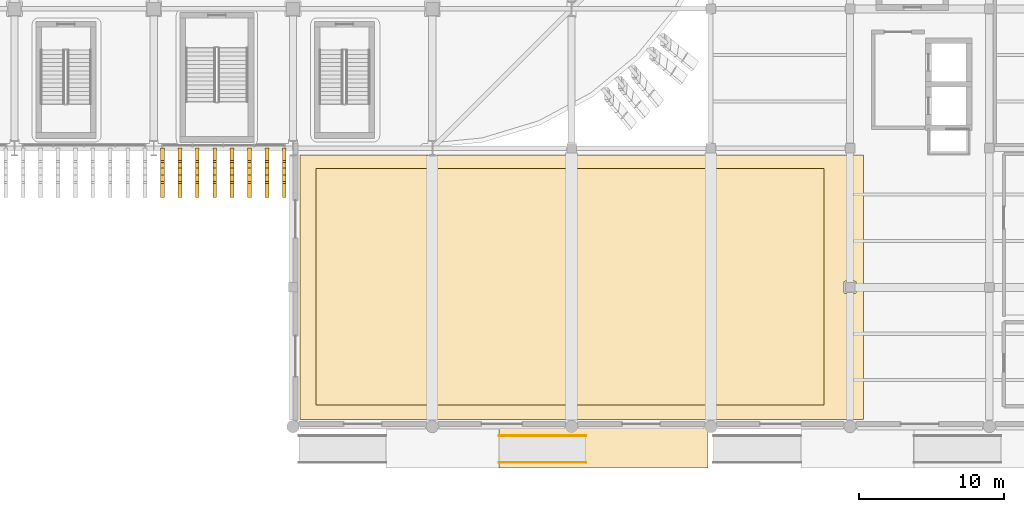
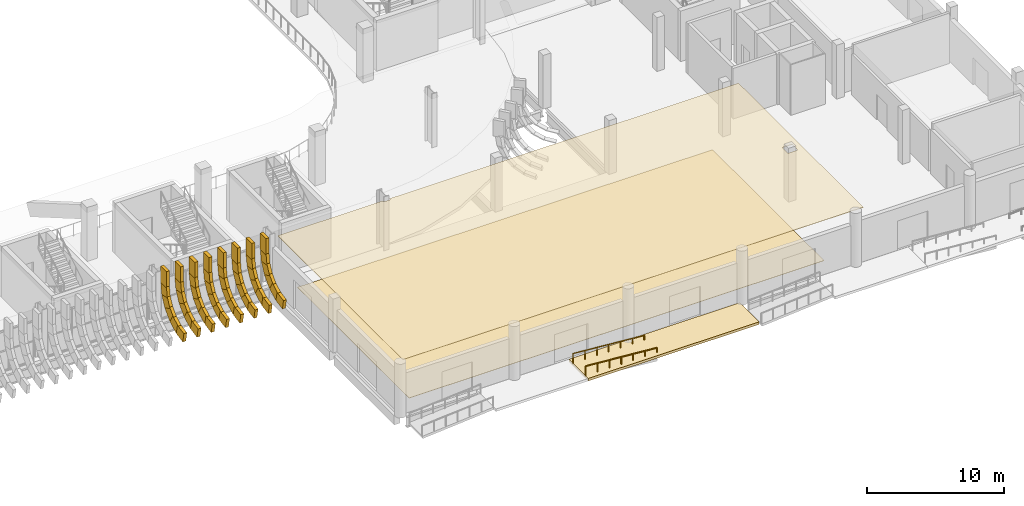
# One storey, part 89 of 100: 51 coverings, 2 railings.
"""IFC4 building model written with IfcOpenShell, lengths in metres."""

from ifc_helpers import new_model, si_unit, direction, frame, origin, origin_2d, place, context, subcontext, project, spatial, polyline, rectangle, circle, outline, extrude, material, layer, layer_set, material_profile, profile_set, type_object, element, save


model = new_model("IFC4")

# Units and contexts
model_context = context("Model", 3, precision=1e-05, world=origin(), true_north=direction((0.0, 1.0)))
body_context = subcontext(model_context, "Body", "Model", "MODEL_VIEW")
ifc_project = project(units=[si_unit("LENGTHUNIT", "METRE"), si_unit("AREAUNIT", "SQUARE_METRE"), si_unit("VOLUMEUNIT", "CUBIC_METRE"), si_unit("PLANEANGLEUNIT", "RADIAN"), si_unit("MASSUNIT", "GRAM", prefix="KILO")], contexts=[model_context])

# Site, building, storey
site_placement = place(None, origin())
site = spatial("IfcSite", under=ifc_project, at=site_placement, CompositionType="ELEMENT")
building_placement = place(site_placement, origin())
building = spatial("IfcBuilding", under=site, at=building_placement, Name="Caelomonte Colonnade Arena", CompositionType="ELEMENT")
storey_placement = place(building_placement, origin())
storey = spatial("IfcBuildingStorey", under=building, at=storey_placement, Name="L00", CompositionType="ELEMENT", Elevation=0.0)

# Coverings
ifc_material_1 = material(Name="Travertine colonnade arrival paving", Category="masonry")
ifc_layer_1 = layer(ifc_material_1, 0.0400390625)
ifc_layer_set_1 = layer_set([ifc_layer_1], Name="Travertine colonnade arrival paving")
covering_type_1 = type_object("IfcCoveringType", Name="ENV-CV-PAV25", PredefinedType="FLOORING", material=ifc_layer_set_1)
covering_1_placement = place(storey_placement, frame((0.0, 0.0, -0.219970703125)))
element("IfcCovering", 1, at=covering_1_placement, inside=storey, type_object=covering_type_1, Name="Portico forecourt accessible landing 2", PredefinedType="FLOORING", context=body_context, shape_type="SweptSolid", body=[
    extrude(outline(polyline([(148.60009765625, -2.85009765625), (163.0, -2.85009765625), (163.0, -0.02001953125), (148.60009765625, -0.02001953125), (148.60009765625, -2.85009765625)])), origin(), (0.0, 0.0, 1.0), 0.219970703125),
])
ifc_material_2 = material(Name="Precast travertine cladding", Category="masonry")
ifc_material_profile = material_profile(ifc_material_2, rectangle(XDim=0.260009765625, YDim=0.85009765625, at=origin_2d()), Name="FIN260X850")
ifc_profile_set = profile_set([ifc_material_profile], Name="Precast travertine cladding")
covering_type_2 = type_object("IfcCoveringType", Name="ENV-FN-SKIRT", PredefinedType="CLADDING", material=ifc_profile_set)
covering_2_placement = place(storey_placement, frame((125.39990234375, 18.779052734375, 3.360107421875), z_axis=(0.0, 0.0, 1.0), x_axis=(-1.0, 0.0, 0.0)))
element("IfcCovering", 2, at=covering_2_placement, inside=storey, type_object=covering_type_2, Name="V1 L00 upper classical fin stem 278", PredefinedType="CLADDING", context=body_context, shape_type="SweptSolid", body=[
    extrude(rectangle(XDim=0.260009765625, YDim=0.85009765625, at=origin_2d()), origin(), (0.0, 0.0, 1.0), 1.4599609375),
])
for number, where, z_axis, x_axis, name in (
    (3, (125.39990234375, 18.785888671875, 3.474609375), (0.0, -0.153076342973, -0.988214366027), (-1.0, 0.0, 0.0), "V1 L00 splayed classical fin skirt chord 1 (278)"),
    (4, (125.39990234375, 18.65869140625, 2.563232421875), (0.0, -0.444692864571, -0.89568312265), (-1.0, 0.0, 0.0), "V1 L00 splayed classical fin skirt chord 2 (278)"),
    (5, (125.39990234375, 18.26171875, 1.733154296875), (0.0, -0.694646381209, -0.71935137803), (-1.0, 0.0, 0.0), "V1 L00 splayed classical fin skirt chord 3 (278)"),
):
    element("IfcCovering", number, at=place(storey_placement, frame(where, z_axis=z_axis, x_axis=x_axis)), inside=storey, type_object=covering_type_2, Name=name, PredefinedType="CLADDING", context=body_context, shape_type="SweptSolid", body=[
        extrude(rectangle(XDim=0.260009765625, YDim=0.85009765625, at=origin_2d()), origin(), (0.0, 0.0, 1.0), 1.008056640625),
    ])
covering_3_placement = place(storey_placement, frame((125.39990234375, 17.63232421875, 1.061767578125), z_axis=(0.0, -0.879676382338, -0.475572772935), x_axis=(-1.0, 0.0, 0.0)))
element("IfcCovering", 6, at=covering_3_placement, inside=storey, type_object=covering_type_2, Name="V1 L00 splayed classical fin skirt chord 4 (278)", PredefinedType="CLADDING", context=body_context, shape_type="SweptSolid", body=[
    extrude(rectangle(XDim=0.260009765625, YDim=0.85009765625, at=origin_2d()), origin(), (0.0, 0.0, 1.0), 1.0078125),
])
covering_4_placement = place(storey_placement, frame((125.39990234375, 16.82958984375, 0.6123046875), z_axis=(0.0, -0.982287485173, -0.187380085582), x_axis=(-1.0, 0.0, 0.0)))
element("IfcCovering", 7, at=covering_4_placement, inside=storey, type_object=covering_type_2, Name="V1 L00 splayed classical fin skirt chord 5 (278)", PredefinedType="CLADDING", context=body_context, shape_type="SweptSolid", body=[
    extrude(rectangle(XDim=0.260009765625, YDim=0.85009765625, at=origin_2d()), origin(), (0.0, 0.0, 1.0), 0.962890625),
])
covering_5_placement = place(storey_placement, frame((126.60009765625, 18.779052734375, 3.360107421875), z_axis=(0.0, 0.0, 1.0), x_axis=(-1.0, 0.0, 0.0)))
element("IfcCovering", 8, at=covering_5_placement, inside=storey, type_object=covering_type_2, Name="V1 L00 upper classical fin stem 279", PredefinedType="CLADDING", context=body_context, shape_type="SweptSolid", body=[
    extrude(rectangle(XDim=0.260009765625, YDim=0.85009765625, at=origin_2d()), origin(), (0.0, 0.0, 1.0), 1.4599609375),
])
for number, where, z_axis, x_axis, name in (
    (9, (126.60009765625, 18.785888671875, 3.474609375), (0.0, -0.153076342973, -0.988214366027), (-1.0, 0.0, 0.0), "V1 L00 splayed classical fin skirt chord 1 (279)"),
    (10, (126.60009765625, 18.65869140625, 2.563232421875), (0.0, -0.444692864571, -0.89568312265), (-1.0, 0.0, 0.0), "V1 L00 splayed classical fin skirt chord 2 (279)"),
    (11, (126.60009765625, 18.26171875, 1.733154296875), (0.0, -0.694646381209, -0.71935137803), (-1.0, 0.0, 0.0), "V1 L00 splayed classical fin skirt chord 3 (279)"),
):
    element("IfcCovering", number, at=place(storey_placement, frame(where, z_axis=z_axis, x_axis=x_axis)), inside=storey, type_object=covering_type_2, Name=name, PredefinedType="CLADDING", context=body_context, shape_type="SweptSolid", body=[
        extrude(rectangle(XDim=0.260009765625, YDim=0.85009765625, at=origin_2d()), origin(), (0.0, 0.0, 1.0), 1.008056640625),
    ])
covering_6_placement = place(storey_placement, frame((126.60009765625, 17.63232421875, 1.061767578125), z_axis=(0.0, -0.879676382338, -0.475572772935), x_axis=(-1.0, 0.0, 0.0)))
element("IfcCovering", 12, at=covering_6_placement, inside=storey, type_object=covering_type_2, Name="V1 L00 splayed classical fin skirt chord 4 (279)", PredefinedType="CLADDING", context=body_context, shape_type="SweptSolid", body=[
    extrude(rectangle(XDim=0.260009765625, YDim=0.85009765625, at=origin_2d()), origin(), (0.0, 0.0, 1.0), 1.0078125),
])
covering_7_placement = place(storey_placement, frame((126.60009765625, 16.82958984375, 0.6123046875), z_axis=(0.0, -0.982287485173, -0.187380085582), x_axis=(-1.0, 0.0, 0.0)))
element("IfcCovering", 13, at=covering_7_placement, inside=storey, type_object=covering_type_2, Name="V1 L00 splayed classical fin skirt chord 5 (279)", PredefinedType="CLADDING", context=body_context, shape_type="SweptSolid", body=[
    extrude(rectangle(XDim=0.260009765625, YDim=0.85009765625, at=origin_2d()), origin(), (0.0, 0.0, 1.0), 0.962890625),
])
covering_8_placement = place(storey_placement, frame((127.800048828125, 18.779052734375, 3.360107421875), z_axis=(0.0, 0.0, 1.0), x_axis=(-1.0, 0.0, 0.0)))
element("IfcCovering", 14, at=covering_8_placement, inside=storey, type_object=covering_type_2, Name="V1 L00 upper classical fin stem 280", PredefinedType="CLADDING", context=body_context, shape_type="SweptSolid", body=[
    extrude(rectangle(XDim=0.260009765625, YDim=0.85009765625, at=origin_2d()), origin(), (0.0, 0.0, 1.0), 1.4599609375),
])
for number, where, z_axis, x_axis, name in (
    (15, (127.800048828125, 18.785888671875, 3.474609375), (0.0, -0.153076342973, -0.988214366027), (-1.0, 0.0, 0.0), "V1 L00 splayed classical fin skirt chord 1 (280)"),
    (16, (127.800048828125, 18.65869140625, 2.563232421875), (0.0, -0.444692864571, -0.89568312265), (-1.0, 0.0, 0.0), "V1 L00 splayed classical fin skirt chord 2 (280)"),
    (17, (127.800048828125, 18.26171875, 1.733154296875), (0.0, -0.694646381209, -0.71935137803), (-1.0, 0.0, 0.0), "V1 L00 splayed classical fin skirt chord 3 (280)"),
):
    element("IfcCovering", number, at=place(storey_placement, frame(where, z_axis=z_axis, x_axis=x_axis)), inside=storey, type_object=covering_type_2, Name=name, PredefinedType="CLADDING", context=body_context, shape_type="SweptSolid", body=[
        extrude(rectangle(XDim=0.260009765625, YDim=0.85009765625, at=origin_2d()), origin(), (0.0, 0.0, 1.0), 1.008056640625),
    ])
covering_9_placement = place(storey_placement, frame((127.800048828125, 17.63232421875, 1.061767578125), z_axis=(0.0, -0.879676382338, -0.475572772935), x_axis=(-1.0, 0.0, 0.0)))
element("IfcCovering", 18, at=covering_9_placement, inside=storey, type_object=covering_type_2, Name="V1 L00 splayed classical fin skirt chord 4 (280)", PredefinedType="CLADDING", context=body_context, shape_type="SweptSolid", body=[
    extrude(rectangle(XDim=0.260009765625, YDim=0.85009765625, at=origin_2d()), origin(), (0.0, 0.0, 1.0), 1.0078125),
])
covering_10_placement = place(storey_placement, frame((127.800048828125, 16.82958984375, 0.6123046875), z_axis=(0.0, -0.982287485173, -0.187380085582), x_axis=(-1.0, 0.0, 0.0)))
element("IfcCovering", 19, at=covering_10_placement, inside=storey, type_object=covering_type_2, Name="V1 L00 splayed classical fin skirt chord 5 (280)", PredefinedType="CLADDING", context=body_context, shape_type="SweptSolid", body=[
    extrude(rectangle(XDim=0.260009765625, YDim=0.85009765625, at=origin_2d()), origin(), (0.0, 0.0, 1.0), 0.962890625),
])
covering_11_placement = place(storey_placement, frame((129.0, 18.779052734375, 3.360107421875), z_axis=(0.0, 0.0, 1.0), x_axis=(-1.0, 0.0, 0.0)))
element("IfcCovering", 20, at=covering_11_placement, inside=storey, type_object=covering_type_2, Name="V1 L00 upper classical fin stem 281", PredefinedType="CLADDING", context=body_context, shape_type="SweptSolid", body=[
    extrude(rectangle(XDim=0.260009765625, YDim=0.85009765625, at=origin_2d()), origin(), (0.0, 0.0, 1.0), 1.4599609375),
])
for number, where, z_axis, x_axis, name in (
    (21, (129.0, 18.785888671875, 3.474609375), (0.0, -0.153076342973, -0.988214366027), (-1.0, 0.0, 0.0), "V1 L00 splayed classical fin skirt chord 1 (281)"),
    (22, (129.0, 18.65869140625, 2.563232421875), (0.0, -0.444692864571, -0.89568312265), (-1.0, 0.0, 0.0), "V1 L00 splayed classical fin skirt chord 2 (281)"),
    (23, (129.0, 18.26171875, 1.733154296875), (0.0, -0.694646381209, -0.71935137803), (-1.0, 0.0, 0.0), "V1 L00 splayed classical fin skirt chord 3 (281)"),
):
    element("IfcCovering", number, at=place(storey_placement, frame(where, z_axis=z_axis, x_axis=x_axis)), inside=storey, type_object=covering_type_2, Name=name, PredefinedType="CLADDING", context=body_context, shape_type="SweptSolid", body=[
        extrude(rectangle(XDim=0.260009765625, YDim=0.85009765625, at=origin_2d()), origin(), (0.0, 0.0, 1.0), 1.008056640625),
    ])
covering_12_placement = place(storey_placement, frame((129.0, 17.63232421875, 1.061767578125), z_axis=(0.0, -0.879676382338, -0.475572772935), x_axis=(-1.0, 0.0, 0.0)))
element("IfcCovering", 24, at=covering_12_placement, inside=storey, type_object=covering_type_2, Name="V1 L00 splayed classical fin skirt chord 4 (281)", PredefinedType="CLADDING", context=body_context, shape_type="SweptSolid", body=[
    extrude(rectangle(XDim=0.260009765625, YDim=0.85009765625, at=origin_2d()), origin(), (0.0, 0.0, 1.0), 1.0078125),
])
covering_13_placement = place(storey_placement, frame((129.0, 16.82958984375, 0.6123046875), z_axis=(0.0, -0.982287485173, -0.187380085582), x_axis=(-1.0, 0.0, 0.0)))
element("IfcCovering", 25, at=covering_13_placement, inside=storey, type_object=covering_type_2, Name="V1 L00 splayed classical fin skirt chord 5 (281)", PredefinedType="CLADDING", context=body_context, shape_type="SweptSolid", body=[
    extrude(rectangle(XDim=0.260009765625, YDim=0.85009765625, at=origin_2d()), origin(), (0.0, 0.0, 1.0), 0.962890625),
])
covering_14_placement = place(storey_placement, frame((130.199951171875, 18.779052734375, 3.360107421875), z_axis=(0.0, 0.0, 1.0), x_axis=(-1.0, 0.0, 0.0)))
element("IfcCovering", 26, at=covering_14_placement, inside=storey, type_object=covering_type_2, Name="V1 L00 upper classical fin stem 282", PredefinedType="CLADDING", context=body_context, shape_type="SweptSolid", body=[
    extrude(rectangle(XDim=0.260009765625, YDim=0.85009765625, at=origin_2d()), origin(), (0.0, 0.0, 1.0), 1.4599609375),
])
for number, where, z_axis, x_axis, name in (
    (27, (130.199951171875, 18.785888671875, 3.474609375), (0.0, -0.153076342973, -0.988214366027), (-1.0, 0.0, 0.0), "V1 L00 splayed classical fin skirt chord 1 (282)"),
    (28, (130.199951171875, 18.65869140625, 2.563232421875), (0.0, -0.444692864571, -0.89568312265), (-1.0, 0.0, 0.0), "V1 L00 splayed classical fin skirt chord 2 (282)"),
    (29, (130.199951171875, 18.26171875, 1.733154296875), (0.0, -0.694646381209, -0.71935137803), (-1.0, 0.0, 0.0), "V1 L00 splayed classical fin skirt chord 3 (282)"),
):
    element("IfcCovering", number, at=place(storey_placement, frame(where, z_axis=z_axis, x_axis=x_axis)), inside=storey, type_object=covering_type_2, Name=name, PredefinedType="CLADDING", context=body_context, shape_type="SweptSolid", body=[
        extrude(rectangle(XDim=0.260009765625, YDim=0.85009765625, at=origin_2d()), origin(), (0.0, 0.0, 1.0), 1.008056640625),
    ])
covering_15_placement = place(storey_placement, frame((130.199951171875, 17.63232421875, 1.061767578125), z_axis=(0.0, -0.879676382338, -0.475572772935), x_axis=(-1.0, 0.0, 0.0)))
element("IfcCovering", 30, at=covering_15_placement, inside=storey, type_object=covering_type_2, Name="V1 L00 splayed classical fin skirt chord 4 (282)", PredefinedType="CLADDING", context=body_context, shape_type="SweptSolid", body=[
    extrude(rectangle(XDim=0.260009765625, YDim=0.85009765625, at=origin_2d()), origin(), (0.0, 0.0, 1.0), 1.0078125),
])
covering_16_placement = place(storey_placement, frame((130.199951171875, 16.82958984375, 0.6123046875), z_axis=(0.0, -0.982287485173, -0.187380085582), x_axis=(-1.0, 0.0, 0.0)))
element("IfcCovering", 31, at=covering_16_placement, inside=storey, type_object=covering_type_2, Name="V1 L00 splayed classical fin skirt chord 5 (282)", PredefinedType="CLADDING", context=body_context, shape_type="SweptSolid", body=[
    extrude(rectangle(XDim=0.260009765625, YDim=0.85009765625, at=origin_2d()), origin(), (0.0, 0.0, 1.0), 0.962890625),
])
covering_17_placement = place(storey_placement, frame((131.39990234375, 18.779052734375, 3.360107421875), z_axis=(0.0, 0.0, 1.0), x_axis=(-1.0, 0.0, 0.0)))
element("IfcCovering", 32, at=covering_17_placement, inside=storey, type_object=covering_type_2, Name="V1 L00 upper classical fin stem 283", PredefinedType="CLADDING", context=body_context, shape_type="SweptSolid", body=[
    extrude(rectangle(XDim=0.260009765625, YDim=0.85009765625, at=origin_2d()), origin(), (0.0, 0.0, 1.0), 1.4599609375),
])
for number, where, z_axis, x_axis, name in (
    (33, (131.39990234375, 18.785888671875, 3.474609375), (0.0, -0.153076342973, -0.988214366027), (-1.0, 0.0, 0.0), "V1 L00 splayed classical fin skirt chord 1 (283)"),
    (34, (131.39990234375, 18.65869140625, 2.563232421875), (0.0, -0.444692864571, -0.89568312265), (-1.0, 0.0, 0.0), "V1 L00 splayed classical fin skirt chord 2 (283)"),
    (35, (131.39990234375, 18.26171875, 1.733154296875), (0.0, -0.694646381209, -0.71935137803), (-1.0, 0.0, 0.0), "V1 L00 splayed classical fin skirt chord 3 (283)"),
):
    element("IfcCovering", number, at=place(storey_placement, frame(where, z_axis=z_axis, x_axis=x_axis)), inside=storey, type_object=covering_type_2, Name=name, PredefinedType="CLADDING", context=body_context, shape_type="SweptSolid", body=[
        extrude(rectangle(XDim=0.260009765625, YDim=0.85009765625, at=origin_2d()), origin(), (0.0, 0.0, 1.0), 1.008056640625),
    ])
covering_18_placement = place(storey_placement, frame((131.39990234375, 17.63232421875, 1.061767578125), z_axis=(0.0, -0.879676382338, -0.475572772935), x_axis=(-1.0, 0.0, 0.0)))
element("IfcCovering", 36, at=covering_18_placement, inside=storey, type_object=covering_type_2, Name="V1 L00 splayed classical fin skirt chord 4 (283)", PredefinedType="CLADDING", context=body_context, shape_type="SweptSolid", body=[
    extrude(rectangle(XDim=0.260009765625, YDim=0.85009765625, at=origin_2d()), origin(), (0.0, 0.0, 1.0), 1.0078125),
])
covering_19_placement = place(storey_placement, frame((131.39990234375, 16.82958984375, 0.6123046875), z_axis=(0.0, -0.982287485173, -0.187380085582), x_axis=(-1.0, 0.0, 0.0)))
element("IfcCovering", 37, at=covering_19_placement, inside=storey, type_object=covering_type_2, Name="V1 L00 splayed classical fin skirt chord 5 (283)", PredefinedType="CLADDING", context=body_context, shape_type="SweptSolid", body=[
    extrude(rectangle(XDim=0.260009765625, YDim=0.85009765625, at=origin_2d()), origin(), (0.0, 0.0, 1.0), 0.962890625),
])
covering_20_placement = place(storey_placement, frame((132.60009765625, 18.779052734375, 3.360107421875), z_axis=(0.0, 0.0, 1.0), x_axis=(-1.0, 0.0, 0.0)))
element("IfcCovering", 38, at=covering_20_placement, inside=storey, type_object=covering_type_2, Name="V1 L00 upper classical fin stem 284", PredefinedType="CLADDING", context=body_context, shape_type="SweptSolid", body=[
    extrude(rectangle(XDim=0.260009765625, YDim=0.85009765625, at=origin_2d()), origin(), (0.0, 0.0, 1.0), 1.4599609375),
])
for number, where, z_axis, x_axis, name in (
    (39, (132.60009765625, 18.785888671875, 3.474609375), (0.0, -0.153076342973, -0.988214366027), (-1.0, 0.0, 0.0), "V1 L00 splayed classical fin skirt chord 1 (284)"),
    (40, (132.60009765625, 18.65869140625, 2.563232421875), (0.0, -0.444692864571, -0.89568312265), (-1.0, 0.0, 0.0), "V1 L00 splayed classical fin skirt chord 2 (284)"),
    (41, (132.60009765625, 18.26171875, 1.733154296875), (0.0, -0.694646381209, -0.71935137803), (-1.0, 0.0, 0.0), "V1 L00 splayed classical fin skirt chord 3 (284)"),
):
    element("IfcCovering", number, at=place(storey_placement, frame(where, z_axis=z_axis, x_axis=x_axis)), inside=storey, type_object=covering_type_2, Name=name, PredefinedType="CLADDING", context=body_context, shape_type="SweptSolid", body=[
        extrude(rectangle(XDim=0.260009765625, YDim=0.85009765625, at=origin_2d()), origin(), (0.0, 0.0, 1.0), 1.008056640625),
    ])
covering_21_placement = place(storey_placement, frame((132.60009765625, 17.63232421875, 1.061767578125), z_axis=(0.0, -0.879676382338, -0.475572772935), x_axis=(-1.0, 0.0, 0.0)))
element("IfcCovering", 42, at=covering_21_placement, inside=storey, type_object=covering_type_2, Name="V1 L00 splayed classical fin skirt chord 4 (284)", PredefinedType="CLADDING", context=body_context, shape_type="SweptSolid", body=[
    extrude(rectangle(XDim=0.260009765625, YDim=0.85009765625, at=origin_2d()), origin(), (0.0, 0.0, 1.0), 1.0078125),
])
covering_22_placement = place(storey_placement, frame((132.60009765625, 16.82958984375, 0.6123046875), z_axis=(0.0, -0.982287485173, -0.187380085582), x_axis=(-1.0, 0.0, 0.0)))
element("IfcCovering", 43, at=covering_22_placement, inside=storey, type_object=covering_type_2, Name="V1 L00 splayed classical fin skirt chord 5 (284)", PredefinedType="CLADDING", context=body_context, shape_type="SweptSolid", body=[
    extrude(rectangle(XDim=0.260009765625, YDim=0.85009765625, at=origin_2d()), origin(), (0.0, 0.0, 1.0), 0.962890625),
])
covering_23_placement = place(storey_placement, frame((133.800048828125, 18.779052734375, 3.360107421875), z_axis=(0.0, 0.0, 1.0), x_axis=(-1.0, 0.0, 0.0)))
element("IfcCovering", 44, at=covering_23_placement, inside=storey, type_object=covering_type_2, Name="V1 L00 upper classical fin stem 285", PredefinedType="CLADDING", context=body_context, shape_type="SweptSolid", body=[
    extrude(rectangle(XDim=0.260009765625, YDim=0.85009765625, at=origin_2d()), origin(), (0.0, 0.0, 1.0), 1.4599609375),
])
for number, where, z_axis, x_axis, name in (
    (45, (133.800048828125, 18.785888671875, 3.474609375), (0.0, -0.153076342973, -0.988214366027), (-1.0, 0.0, 0.0), "V1 L00 splayed classical fin skirt chord 1 (285)"),
    (46, (133.800048828125, 18.65869140625, 2.563232421875), (0.0, -0.444692864571, -0.89568312265), (-1.0, 0.0, 0.0), "V1 L00 splayed classical fin skirt chord 2 (285)"),
    (47, (133.800048828125, 18.26171875, 1.733154296875), (0.0, -0.694646381209, -0.71935137803), (-1.0, 0.0, 0.0), "V1 L00 splayed classical fin skirt chord 3 (285)"),
):
    element("IfcCovering", number, at=place(storey_placement, frame(where, z_axis=z_axis, x_axis=x_axis)), inside=storey, type_object=covering_type_2, Name=name, PredefinedType="CLADDING", context=body_context, shape_type="SweptSolid", body=[
        extrude(rectangle(XDim=0.260009765625, YDim=0.85009765625, at=origin_2d()), origin(), (0.0, 0.0, 1.0), 1.008056640625),
    ])
covering_24_placement = place(storey_placement, frame((133.800048828125, 17.63232421875, 1.061767578125), z_axis=(0.0, -0.879676382338, -0.475572772935), x_axis=(-1.0, 0.0, 0.0)))
element("IfcCovering", 48, at=covering_24_placement, inside=storey, type_object=covering_type_2, Name="V1 L00 splayed classical fin skirt chord 4 (285)", PredefinedType="CLADDING", context=body_context, shape_type="SweptSolid", body=[
    extrude(rectangle(XDim=0.260009765625, YDim=0.85009765625, at=origin_2d()), origin(), (0.0, 0.0, 1.0), 1.0078125),
])
covering_25_placement = place(storey_placement, frame((133.800048828125, 16.82958984375, 0.6123046875), z_axis=(0.0, -0.982287485173, -0.187380085582), x_axis=(-1.0, 0.0, 0.0)))
element("IfcCovering", 49, at=covering_25_placement, inside=storey, type_object=covering_type_2, Name="V1 L00 splayed classical fin skirt chord 5 (285)", PredefinedType="CLADDING", context=body_context, shape_type="SweptSolid", body=[
    extrude(rectangle(XDim=0.260009765625, YDim=0.85009765625, at=origin_2d()), origin(), (0.0, 0.0, 1.0), 0.962890625),
])

# Railings
ifc_material_3 = material(Name="Stainless steel tubular handrail", Category="steel")
railing_type = type_object("IfcRailingType", Name="ENV-RL-HR1", PredefinedType="HANDRAIL", material=ifc_material_3)
for number, where, name in (
    (50, (154.60009765625, -2.469970703125, -0.489990234375), "Accessible ramp PR-02 handrail 1"),
    (51, (154.60009765625, -0.6298828125, -0.489990234375), "Accessible ramp PR-02 handrail 2"),
):
    element("IfcRailing", number, at=place(storey_placement, frame(where)), inside=storey, type_object=railing_type, Name=name, PredefinedType="HANDRAIL", context=body_context, shape_type="SweptSolid", body=[
        extrude(circle(Radius=0.02392578125, at=origin_2d()), frame((0.0, 0.0, 0.89599609375), z_axis=(-0.99694637106, 0.0, 0.078089264498), x_axis=(0.0, -1.0, 0.0)), (0.0, 0.0, 1.0), 6.018310546875),
        extrude(circle(Radius=0.02099609375, at=origin_2d()), origin(), (0.0, 0.0, 1.0), 0.867919921875),
        extrude(circle(Radius=0.02099609375, at=origin_2d()), frame((-1.0, 0.0, 0.078369140625)), (0.0, 0.0, 1.0), 0.867919921875),
        extrude(circle(Radius=0.02099609375, at=origin_2d()), frame((-2.0, 0.0, 0.15673828125)), (0.0, 0.0, 1.0), 0.867919921875),
        extrude(circle(Radius=0.02099609375, at=origin_2d()), frame((-3.0, 0.0, 0.23486328125)), (0.0, 0.0, 1.0), 0.867919921875),
        extrude(circle(Radius=0.02099609375, at=origin_2d()), frame((-4.0, 0.0, 0.313232421875)), (0.0, 0.0, 1.0), 0.867919921875),
        extrude(circle(Radius=0.02099609375, at=origin_2d()), frame((-5.0, 0.0, 0.3916015625)), (0.0, 0.0, 1.0), 0.867919921875),
        extrude(circle(Radius=0.02099609375, at=origin_2d()), frame((-6.0, 0.0, 0.469970703125)), (0.0, 0.0, 1.0), 0.867919921875),
    ])

# Coverings
ifc_material_4 = material(Name="Perforated acoustic mineral-fibre ceiling")
ifc_layer_2 = layer(ifc_material_4, 0.0400390625)
ifc_layer_set_2 = layer_set([ifc_layer_2], Name="Perforated acoustic mineral-fibre ceiling")
covering_type_3 = type_object("IfcCoveringType", Name="INT-CV-CEIL1", PredefinedType="CEILING", material=ifc_layer_set_2)
covering_26_placement = place(storey_placement, frame((0.0, 0.0, 4.419921875)))
element("IfcCovering", 52, at=covering_26_placement, inside=storey, type_object=covering_type_3, Name="L00 Entrance Foyer acoustic ceiling", PredefinedType="CEILING", context=body_context, shape_type="SweptSolid", body=[
    extrude(outline(polyline([(163.35986328125, 0.47998046875), (172.64013671875, 0.47998046875), (172.779296875, 0.517333984375), (172.78759765625, 0.51904296875), (172.7958984375, 0.52001953125), (172.80419921875, 0.52001953125), (172.8125, 0.51904296875), (172.82080078125, 0.517333984375), (172.9599609375, 0.47998046875), (173.719970703125, 0.47998046875), (173.719970703125, 18.719970703125), (144.30859375, 18.719970703125), (144.30859375, 18.664306640625), (144.30810546875, 18.656494140625), (144.306884765625, 18.648681640625), (144.30517578125, 18.64111328125), (144.302490234375, 18.6337890625), (144.299072265625, 18.626708984375), (144.294921875, 18.619873046875), (144.290283203125, 18.613525390625), (144.28515625, 18.607666015625), (144.279296875, 18.6025390625), (144.27294921875, 18.597900390625), (144.26611328125, 18.59375), (144.259033203125, 18.59033203125), (144.251708984375, 18.587646484375), (144.244140625, 18.585693359375), (144.236328125, 18.584716796875), (144.228515625, 18.584228515625), (143.771484375, 18.584228515625), (143.763671875, 18.584716796875), (143.755859375, 18.585693359375), (143.748291015625, 18.587646484375), (143.740966796875, 18.59033203125), (143.73388671875, 18.59375), (143.72705078125, 18.597900390625), (143.720703125, 18.6025390625), (143.71484375, 18.607666015625), (143.709716796875, 18.613525390625), (143.705078125, 18.619873046875), (143.700927734375, 18.626708984375), (143.697509765625, 18.6337890625), (143.69482421875, 18.64111328125), (143.693115234375, 18.648681640625), (143.69189453125, 18.656494140625), (143.69140625, 18.664306640625), (143.69140625, 18.719970703125), (134.8798828125, 18.719970703125), (134.8798828125, 0.47998046875), (143.840087890625, 0.47998046875), (143.979248046875, 0.517333984375), (143.987548828125, 0.51904296875), (143.995849609375, 0.52001953125), (144.004150390625, 0.52001953125), (144.012451171875, 0.51904296875), (144.020751953125, 0.517333984375), (144.159912109375, 0.47998046875), (153.440185546875, 0.47998046875), (153.579345703125, 0.517333984375), (153.58740234375, 0.51904296875), (153.595703125, 0.52001953125), (153.604248046875, 0.52001953125), (153.612548828125, 0.51904296875), (153.62060546875, 0.517333984375), (153.760009765625, 0.47998046875), (163.0400390625, 0.47998046875), (163.17919921875, 0.517333984375), (163.1875, 0.51904296875), (163.19580078125, 0.52001953125), (163.2041015625, 0.52001953125), (163.21240234375, 0.51904296875), (163.220703125, 0.517333984375), (163.35986328125, 0.47998046875)]), holes=[polyline([(173.147705078125, 9.180419921875), (173.139892578125, 9.179931640625), (172.4599609375, 9.179931640625), (172.4521484375, 9.180419921875), (172.4443359375, 9.181396484375), (172.436767578125, 9.183349609375), (172.429443359375, 9.18603515625), (172.42236328125, 9.189453125), (172.41552734375, 9.193603515625), (172.4091796875, 9.1982421875), (172.4033203125, 9.203369140625), (172.398193359375, 9.209228515625), (172.3935546875, 9.215576171875), (172.389404296875, 9.222412109375), (172.385986328125, 9.2294921875), (172.38330078125, 9.23681640625), (172.381591796875, 9.244384765625), (172.38037109375, 9.252197265625), (172.3798828125, 9.260009765625), (172.3798828125, 9.93994140625), (172.38037109375, 9.94775390625), (172.381591796875, 9.95556640625), (172.38330078125, 9.963134765625), (172.385986328125, 9.970703125), (172.389404296875, 9.977783203125), (172.3935546875, 9.984375), (172.398193359375, 9.99072265625), (172.4033203125, 9.99658203125), (172.4091796875, 10.001708984375), (172.41552734375, 10.006591796875), (172.42236328125, 10.010498046875), (172.429443359375, 10.013916015625), (172.436767578125, 10.0166015625), (172.4443359375, 10.0185546875), (172.4521484375, 10.01953125), (172.4599609375, 10.02001953125), (173.139892578125, 10.02001953125), (173.147705078125, 10.01953125), (173.155517578125, 10.0185546875), (173.1630859375, 10.0166015625), (173.170654296875, 10.013916015625), (173.177734375, 10.010498046875), (173.184326171875, 10.006591796875), (173.19091796875, 10.001708984375), (173.196533203125, 9.99658203125), (173.201904296875, 9.99072265625), (173.20654296875, 9.984375), (173.210693359375, 9.977783203125), (173.2138671875, 9.970703125), (173.216552734375, 9.963134765625), (173.218505859375, 9.95556640625), (173.219482421875, 9.94775390625), (173.219970703125, 9.93994140625), (173.219970703125, 9.260009765625), (173.219482421875, 9.252197265625), (173.218505859375, 9.244384765625), (173.216552734375, 9.23681640625), (173.2138671875, 9.2294921875), (173.210693359375, 9.222412109375), (173.20654296875, 9.215576171875), (173.201904296875, 9.209228515625), (173.196533203125, 9.203369140625), (173.19091796875, 9.1982421875), (173.184326171875, 9.193603515625), (173.177734375, 9.189453125), (173.170654296875, 9.18603515625), (173.1630859375, 9.183349609375), (173.155517578125, 9.181396484375), (173.147705078125, 9.180419921875)])]), origin(), (0.0, 0.0, 1.0), 0.0400390625),
])
ifc_material_5 = material(Name="Polished travertine terrazzo concourse flooring", Category="masonry")
ifc_layer_3 = layer(ifc_material_5, 0.030029296875)
ifc_layer_set_3 = layer_set([ifc_layer_3], Name="Polished travertine terrazzo concourse flooring")
covering_type_4 = type_object("IfcCoveringType", Name="INT-CV-FLR2", PredefinedType="FLOORING", material=ifc_layer_set_3)
covering_27_placement = place(storey_placement, origin())
element("IfcCovering", 53, at=covering_27_placement, inside=storey, type_object=covering_type_4, Name="Entrance foyer polished travertine terrazzo", PredefinedType="FLOORING", context=body_context, shape_type="SweptSolid", body=[
    extrude(outline(polyline([(136.0, 1.5), (171.0, 1.5), (171.0, 17.800048828125), (136.0, 17.800048828125), (136.0, 1.5)])), origin(), (0.0, 0.0, 1.0), 0.030029296875),
])

save(model, "model.ifc")
